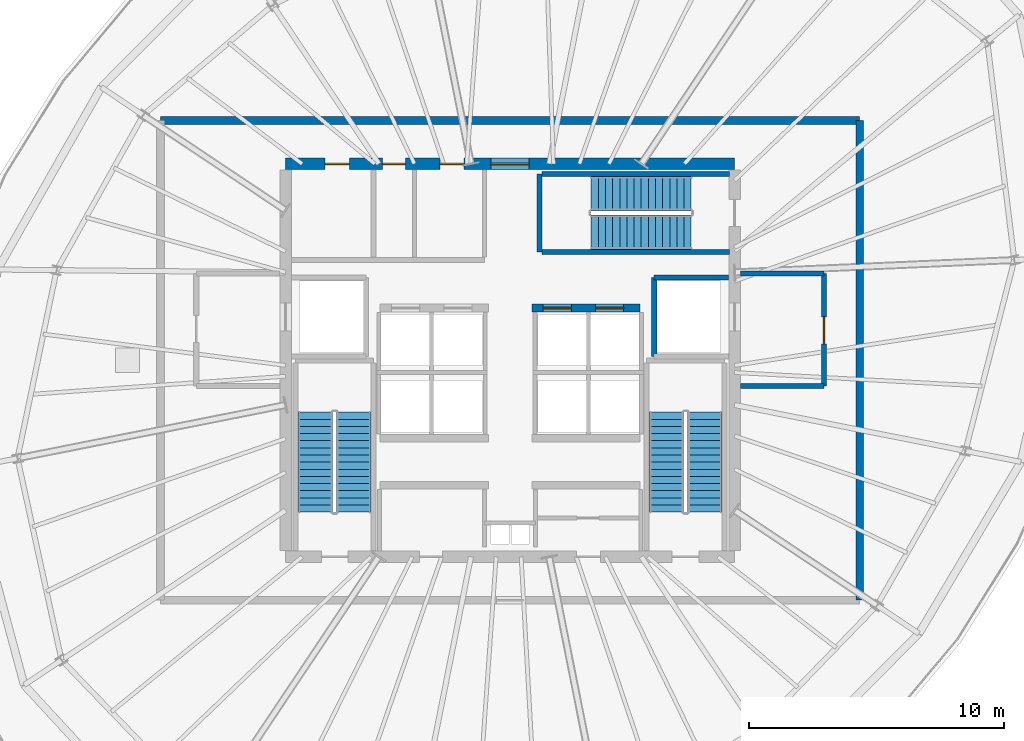
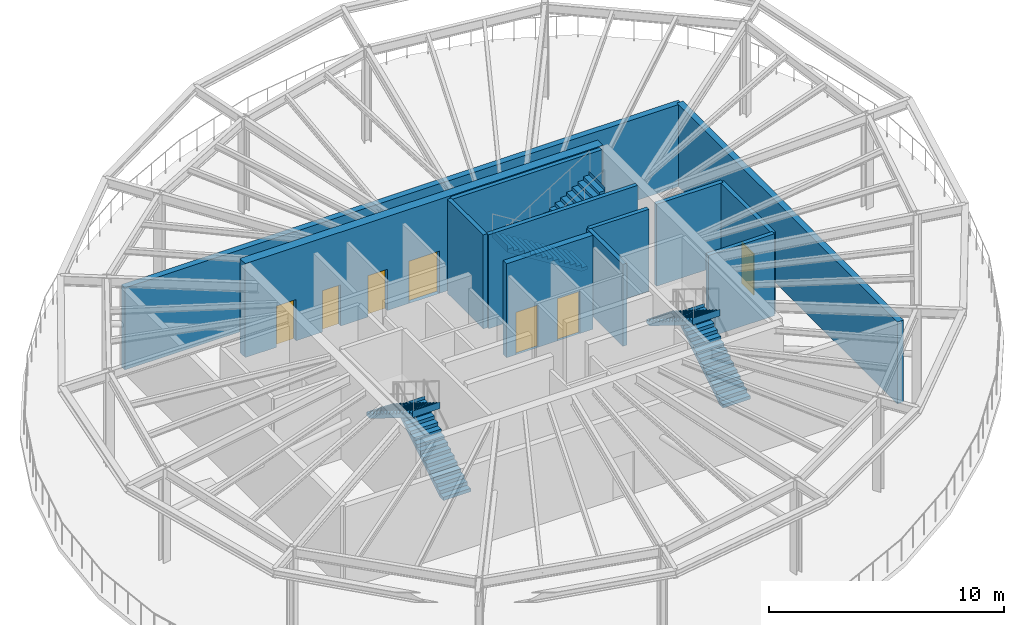
# One storey, part 5 of 8: 12 walls, 7 doors, 6 stair flights, 7 openings, 3 elements without a shape of their own.
"""IFC4 building model written with IfcOpenShell, lengths in metres."""

from ifc_helpers import new_model, si_unit, direction, frame, frame_2d, origin, place, context, subcontext, project, spatial, polyline, rectangle, outline, extrude, source, transform, mapped, material, layer, layer_set, type_object, element, fill, aggregate, save


model = new_model("IFC4")

# Units and contexts
model_context = context("Model", 3, precision=1e-05, world=origin(), true_north=direction((0.0, 1.0)))
body_context = subcontext(model_context, "Body", "Model", "MODEL_VIEW")
ifc_project = project(units=[si_unit("LENGTHUNIT", "METRE"), si_unit("AREAUNIT", "SQUARE_METRE"), si_unit("VOLUMEUNIT", "CUBIC_METRE"), si_unit("PLANEANGLEUNIT", "RADIAN"), si_unit("MASSUNIT", "GRAM", prefix="KILO"), si_unit("THERMODYNAMICTEMPERATUREUNIT", "KELVIN")], contexts=[model_context])

# Site, building, storey
site_placement = place(None, origin())
site = spatial("IfcSite", under=ifc_project, at=site_placement, CompositionType="ELEMENT")
building_placement = place(site_placement, origin())
building = spatial("IfcBuilding", under=site, at=building_placement, Name="Kethvar Cultural Tower", CompositionType="ELEMENT")
storey_placement = place(building_placement, frame((0.0, 0.0, 218.39990234375)))
storey = spatial("IfcBuildingStorey", under=building, at=storey_placement, Name="L57", CompositionType="ELEMENT", Elevation=218.39990234375)

# Wall, openings, doors
ifc_material_1 = material(Name="Concrete C50/60", Category="concrete")
ifc_layer_1 = layer(ifc_material_1, 0.449951171875, Name="Concrete C50/60", Category="concrete")
ifc_layer_set_1 = layer_set([ifc_layer_1], Name="Concrete C50/60 (450 mm)")
wall_type_1 = type_object("IfcWallType", Name="WL-CORE-450", PredefinedType="SHEAR", material=ifc_layer_set_1)
wall_1_placement = place(storey_placement, frame((55.60009765625, 35.5, 0.0), z_axis=(0.0, 0.0, 1.0), x_axis=(-1.0, 0.0, 0.0)))
wall_1 = element("IfcWall", 1, at=wall_1_placement, inside=storey, type_object=wall_type_1, Name="L57 Core Shear Wall N", PredefinedType="SHEAR", context=body_context, shape_type="SweptSolid", body=[
    extrude(rectangle(XDim=17.60009765625, YDim=0.449951171875, at=frame_2d((8.800048828125, 0.0))), origin(), (0.0, 0.0, 1.0), 4.89013671875),
])
opening_1_placement = place(wall_1_placement, frame((8.050048828125, 0.0, 0.0)))
opening_1 = element("IfcOpeningElement", 2, at=opening_1_placement, cuts=wall_1, Name="Opening D-L57-LN", PredefinedType="OPENING", context=body_context, shape_type="SweptSolid", body=[
    extrude(rectangle(XDim=1.5, YDim=2.199951171875, at=frame_2d((0.75, 1.10009765625))), frame((0.0, 0.23486328125, 0.0), z_axis=(0.0, -1.0, 0.0), x_axis=(1.0, 0.0, 0.0)), (0.0, 0.0, 1.0), 0.469970703125),
])
opening_2_placement = place(wall_1_placement, frame((15.10009765625, 0.0, 0.0)))
opening_2 = element("IfcOpeningElement", 3, at=opening_2_placement, cuts=wall_1, Name="Opening D-L57-E1", PredefinedType="OPENING", context=body_context, shape_type="SweptSolid", body=[
    extrude(rectangle(XDim=0.949951171875, YDim=2.14990234375, at=frame_2d((0.47509765625, 1.074951171875))), frame((0.0, 0.23486328125, 0.0), z_axis=(0.0, -1.0, 0.0), x_axis=(1.0, 0.0, 0.0)), (0.0, 0.0, 1.0), 0.469970703125),
])
opening_3_placement = place(wall_1_placement, frame((12.89990234375, 0.0, 0.0)))
opening_3 = element("IfcOpeningElement", 4, at=opening_3_placement, cuts=wall_1, Name="Opening D-L57-W1", PredefinedType="OPENING", context=body_context, shape_type="SweptSolid", body=[
    extrude(rectangle(XDim=0.89990234375, YDim=2.14990234375, at=frame_2d((0.449951171875, 1.074951171875))), frame((0.0, 0.23486328125, 0.0), z_axis=(0.0, -1.0, 0.0), x_axis=(1.0, 0.0, 0.0)), (0.0, 0.0, 1.0), 0.469970703125),
])
opening_4_placement = place(wall_1_placement, frame((10.60009765625, 0.0, 0.0)))
opening_4 = element("IfcOpeningElement", 5, at=opening_4_placement, cuts=wall_1, Name="Opening D-L57-W2", PredefinedType="OPENING", context=body_context, shape_type="SweptSolid", body=[
    extrude(rectangle(XDim=0.949951171875, YDim=2.14990234375, at=frame_2d((0.47509765625, 1.074951171875))), frame((0.0, 0.23486328125, 0.0), z_axis=(0.0, -1.0, 0.0), x_axis=(1.0, 0.0, 0.0)), (0.0, 0.0, 1.0), 0.469970703125),
])
ifc_material_2 = material(Name="Architectural Oak Timber", Category="wood")
door_type_1 = type_object("IfcDoorType", Name="DR-DBL-FD60-1500", OperationType="DOUBLE_DOOR_SINGLE_SWING", PredefinedType="DOOR", material=ifc_material_2)
shared_shape_1 = source(origin(), body_context, "Body", "SweptSolid", [
    extrude(rectangle(XDim=1.5, YDim=2.199951171875, at=frame_2d((0.75, 1.10009765625))), frame((0.0, 0.02490234375, 0.0), z_axis=(0.0, -1.0, 0.0), x_axis=(1.0, 0.0, 0.0)), (0.0, 0.0, 1.0), 0.050048828125),
])
door_1_placement = place(opening_1_placement, origin())
door_1 = element("IfcDoor", 6, at=door_1_placement, inside=storey, type_object=door_type_1, Name="L57 Lift Lobby Concourse Door", OperationType="DOUBLE_DOOR_SINGLE_SWING", OverallHeight=2.199951171875, OverallWidth=1.5, PredefinedType="DOOR", context=body_context, shape_type="MappedRepresentation", body=[
    mapped(shared_shape_1, transform((0.0, 0.0, 0.0), scale=1.0)),
])
fill(opening_1, door_1)
door_type_2 = type_object("IfcDoorType", Name="DR-FD30-950", OperationType="NOTDEFINED", PredefinedType="DOOR", material=ifc_material_2)
shared_shape_2 = source(origin(), body_context, "Body", "SweptSolid", [
    extrude(rectangle(XDim=0.949951171875, YDim=2.14990234375, at=frame_2d((0.47509765625, 1.074951171875))), frame((0.0, 0.02490234375, 0.0), z_axis=(0.0, -1.0, 0.0), x_axis=(1.0, 0.0, 0.0)), (0.0, 0.0, 1.0), 0.050048828125),
])
door_2_placement = place(opening_2_placement, origin())
door_2 = element("IfcDoor", 7, at=door_2_placement, inside=storey, type_object=door_type_2, Name="L57 Electrical Switchgear Door", OperationType="SINGLE_SWING_RIGHT", OverallHeight=2.14990234375, OverallWidth=0.949951171875, PredefinedType="DOOR", context=body_context, shape_type="MappedRepresentation", body=[
    mapped(shared_shape_2, transform((0.0, 0.0, 0.0), scale=1.0)),
])
fill(opening_2, door_2)
door_3_placement = place(opening_4_placement, origin())
door_3 = element("IfcDoor", 8, at=door_3_placement, inside=storey, type_object=door_type_2, Name="L57 Public Washroom Door", OperationType="SINGLE_SWING_RIGHT", OverallHeight=2.14990234375, OverallWidth=0.949951171875, PredefinedType="DOOR", context=body_context, shape_type="MappedRepresentation", body=[
    mapped(shared_shape_2, transform((0.0, 0.0, 0.0), scale=1.0)),
])
fill(opening_4, door_3)
door_type_3 = type_object("IfcDoorType", Name="DR-FD30-900", OperationType="NOTDEFINED", PredefinedType="DOOR", material=ifc_material_2)
shared_shape_3 = source(origin(), body_context, "Body", "SweptSolid", [
    extrude(rectangle(XDim=0.89990234375, YDim=2.14990234375, at=frame_2d((0.449951171875, 1.074951171875))), frame((0.0, 0.02490234375, 0.0), z_axis=(0.0, -1.0, 0.0), x_axis=(1.0, 0.0, 0.0)), (0.0, 0.0, 1.0), 0.050048828125),
])
door_4_placement = place(opening_3_placement, origin())
door_4 = element("IfcDoor", 9, at=door_4_placement, inside=storey, type_object=door_type_3, Name="L57 Accessible Washroom Door", OperationType="SINGLE_SWING_LEFT", OverallHeight=2.14990234375, OverallWidth=0.89990234375, PredefinedType="DOOR", context=body_context, shape_type="MappedRepresentation", body=[
    mapped(shared_shape_3, transform((0.0, 0.0, 0.0), scale=1.0)),
])
fill(opening_3, door_4)

# Walls
ifc_material_3 = material(Name="Concrete C40/50", Category="concrete")
ifc_layer_2 = layer(ifc_material_3, 0.300048828125, Name="Concrete C40/50", Category="concrete")
ifc_layer_set_2 = layer_set([ifc_layer_2], Name="Concrete C40/50 (300 mm)")
wall_type_2 = type_object("IfcWallType", Name="WL-EXT-TER-300", PredefinedType="SOLIDWALL", material=ifc_layer_set_2)
wall_2_placement = place(storey_placement, frame((60.5, 18.39990234375, 0.0), z_axis=(0.0, 0.0, 1.0), x_axis=(0.0, 1.0, 0.0)))
element("IfcWall", 10, at=wall_2_placement, inside=storey, type_object=wall_type_2, Name="L57 Wind-Floor Weather Enclosure Wall E", PredefinedType="SOLIDWALL", context=body_context, shape_type="SweptSolid", body=[
    extrude(rectangle(XDim=18.800048828125, YDim=0.300048828125, at=frame_2d((9.39990234375, 0.0))), origin(), (0.0, 0.0, 1.0), 4.26513671875),
])
wall_3_placement = place(storey_placement, frame((60.5, 37.199951171875, 0.0), z_axis=(0.0, 0.0, 1.0), x_axis=(-1.0, 0.0, 0.0)))
element("IfcWall", 11, at=wall_3_placement, inside=storey, type_object=wall_type_2, Name="L57 Wind-Floor Weather Enclosure Wall N", PredefinedType="SOLIDWALL", context=body_context, shape_type="SweptSolid", body=[
    extrude(rectangle(XDim=27.39990234375, YDim=0.300048828125, at=frame_2d((13.699951171875, 0.0))), origin(), (0.0, 0.0, 1.0), 4.26513671875),
])
ifc_layer_3 = layer(ifc_material_3, 0.199951171875, Name="Concrete C40/50", Category="concrete")
ifc_layer_set_3 = layer_set([ifc_layer_3], Name="Concrete C40/50 (200 mm)")
wall_type_3 = type_object("IfcWallType", Name="WL-FIRE-200", PredefinedType="PARTITIONING", material=ifc_layer_set_3)
wall_4_placement = place(storey_placement, frame((52.449951171875, 27.949951171875, 0.0), z_axis=(0.0, 0.0, 1.0), x_axis=(0.0, 1.0, 0.0)))
element("IfcWall", 12, at=wall_4_placement, inside=storey, type_object=wall_type_3, Name="L57 FFL-02 Shaft Inner Wall", PredefinedType="PARTITIONING", context=body_context, shape_type="SweptSolid", body=[
    extrude(rectangle(XDim=3.10009765625, YDim=0.199951171875, at=frame_2d((1.550048828125, 0.0))), origin(), (0.0, 0.0, 1.0), 4.26513671875),
])
wall_5_placement = place(storey_placement, frame((52.449951171875, 31.050048828125, 0.0), z_axis=(0.0, 0.0, 1.0), x_axis=(1.0, 0.0, 0.0)))
element("IfcWall", 13, at=wall_5_placement, inside=storey, type_object=wall_type_3, Name="L57 FFL-02 Shaft North Wall", PredefinedType="PARTITIONING", context=body_context, shape_type="SweptSolid", body=[
    extrude(rectangle(XDim=2.9150390625, YDim=0.199951171875, at=frame_2d((1.45751953125, 0.0))), origin(), (0.0, 0.0, 1.0), 4.26513671875),
])

# Wall, opening, door
wall_6_placement = place(storey_placement, frame((59.10009765625, 26.800048828125, 0.0), z_axis=(0.0, 0.0, 1.0), x_axis=(0.0, 1.0, 0.0)))
wall_6 = element("IfcWall", 14, at=wall_6_placement, inside=storey, type_object=wall_type_3, Name="L57 Firefighting Lobby 2 Wall", PredefinedType="PARTITIONING", context=body_context, shape_type="SweptSolid", body=[
    extrude(rectangle(XDim=4.39990234375, YDim=0.199951171875, at=frame_2d((2.199951171875, 0.0))), origin(), (0.0, 0.0, 1.0), 4.26513671875),
])
opening_5_placement = place(wall_6_placement, frame((1.64990234375, 0.0, 0.0)))
opening_5 = element("IfcOpeningElement", 15, at=opening_5_placement, cuts=wall_6, Name="Opening D-L57-F2", PredefinedType="OPENING", context=body_context, shape_type="SweptSolid", body=[
    extrude(rectangle(XDim=1.050048828125, YDim=2.14990234375, at=frame_2d((0.52490234375, 1.074951171875))), frame((0.0, 0.10986328125, 0.0), z_axis=(0.0, -1.0, 0.0), x_axis=(1.0, 0.0, 0.0)), (0.0, 0.0, 1.0), 0.219970703125),
])
ifc_material_4 = material(Name="Steel S355J2", Category="steel")
door_type_4 = type_object("IfcDoorType", Name="DR-FD60-1050", OperationType="NOTDEFINED", PredefinedType="DOOR", material=ifc_material_4)
shared_shape_4 = source(origin(), body_context, "Body", "SweptSolid", [
    extrude(rectangle(XDim=1.050048828125, YDim=2.14990234375, at=frame_2d((0.52490234375, 1.074951171875))), frame((0.0, 0.02490234375, 0.0), z_axis=(0.0, -1.0, 0.0), x_axis=(1.0, 0.0, 0.0)), (0.0, 0.0, 1.0), 0.050048828125),
])
door_5_placement = place(opening_5_placement, origin())
door_5 = element("IfcDoor", 16, at=door_5_placement, inside=storey, type_object=door_type_4, Name="L57 Firefighting Lobby 2 Fire Door", OperationType="SINGLE_SWING_LEFT", OverallHeight=2.14990234375, OverallWidth=1.050048828125, PredefinedType="DOOR", context=body_context, shape_type="MappedRepresentation", body=[
    mapped(shared_shape_4, transform((0.0, 0.0, 0.0), scale=1.0)),
])
fill(opening_5, door_5)

# Walls
for number, where, z_axis, x_axis, name in (
    (17, (55.8349609375, 26.800048828125, 0.0), (0.0, 0.0, 1.0), (1.0, 0.0, 0.0), "L57 FF Lobby 2 South Wall"),
    (18, (55.8349609375, 31.199951171875, 0.0), (0.0, 0.0, 1.0), (1.0, 0.0, 0.0), "L57 FF Lobby 2 North Wall"),
):
    element("IfcWall", number, at=place(storey_placement, frame(where, z_axis=z_axis, x_axis=x_axis)), inside=storey, type_object=wall_type_3, Name=name, PredefinedType="PARTITIONING", context=body_context, shape_type="SweptSolid", body=[
        extrude(rectangle(XDim=3.26513671875, YDim=0.199951171875, at=frame_2d((1.632568359375, 0.0))), origin(), (0.0, 0.0, 1.0), 4.26513671875),
    ])

# Wall, openings, doors
ifc_layer_4 = layer(ifc_material_1, 0.300048828125, Name="Concrete C50/60", Category="concrete")
ifc_layer_set_4 = layer_set([ifc_layer_4], Name="Concrete C50/60 (300 mm)")
wall_type_4 = type_object("IfcWallType", Name="WL-SHAFT-300", PredefinedType="SHEAR", material=ifc_layer_set_4)
wall_7_placement = place(storey_placement, frame((47.64990234375, 29.85009765625, 0.0), z_axis=(0.0, 0.0, 1.0), x_axis=(1.0, 0.0, 0.0)))
wall_7 = element("IfcWall", 19, at=wall_7_placement, inside=storey, type_object=wall_type_4, Name="L57 Core Lift Spine Wall MID3E", PredefinedType="SHEAR", context=body_context, shape_type="SweptSolid", body=[
    extrude(rectangle(XDim=4.25, YDim=0.300048828125, at=frame_2d((2.125, 0.0))), origin(), (0.0, 0.0, 1.0), 4.89013671875),
])
opening_6_placement = place(wall_7_placement, frame((0.449951171875, 0.0, 0.0)))
opening_6 = element("IfcOpeningElement", 20, at=opening_6_placement, cuts=wall_7, Name="Opening LD-H3", PredefinedType="OPENING", context=body_context, shape_type="SweptSolid", body=[
    extrude(rectangle(XDim=1.10009765625, YDim=2.199951171875, at=frame_2d((0.550048828125, 1.10009765625))), frame((0.0, 0.159912109375, 0.0), z_axis=(0.0, -1.0, 0.0), x_axis=(1.0, 0.0, 0.0)), (0.0, 0.0, 1.0), 0.320068359375),
])
opening_7_placement = place(wall_7_placement, frame((2.5, 0.0, 0.0)))
opening_7 = element("IfcOpeningElement", 21, at=opening_7_placement, cuts=wall_7, Name="Opening LD-H4", PredefinedType="OPENING", context=body_context, shape_type="SweptSolid", body=[
    extrude(rectangle(XDim=1.10009765625, YDim=2.199951171875, at=frame_2d((0.550048828125, 1.10009765625))), frame((0.0, 0.159912109375, 0.0), z_axis=(0.0, -1.0, 0.0), x_axis=(1.0, 0.0, 0.0)), (0.0, 0.0, 1.0), 0.320068359375),
])
door_type_5 = type_object("IfcDoorType", Name="DR-LIFT-SLIDE-1100", OperationType="NOTDEFINED", PredefinedType="DOOR", material=ifc_material_4)
shared_shape_5 = source(origin(), body_context, "Body", "SweptSolid", [
    extrude(rectangle(XDim=1.10009765625, YDim=2.199951171875, at=frame_2d((0.550048828125, 1.10009765625))), frame((0.0, 0.02490234375, 0.0), z_axis=(0.0, -1.0, 0.0), x_axis=(1.0, 0.0, 0.0)), (0.0, 0.0, 1.0), 0.050048828125),
])
door_6_placement = place(opening_6_placement, origin())
door_6 = element("IfcDoor", 22, at=door_6_placement, inside=storey, type_object=door_type_5, Name="L57 High-Rise Lift Landing Door H3", OperationType="SLIDING_TO_LEFT", OverallHeight=2.199951171875, OverallWidth=1.10009765625, PredefinedType="DOOR", context=body_context, shape_type="MappedRepresentation", body=[
    mapped(shared_shape_5, transform((0.0, 0.0, 0.0), scale=1.0)),
])
fill(opening_6, door_6)
door_7_placement = place(opening_7_placement, origin())
door_7 = element("IfcDoor", 23, at=door_7_placement, inside=storey, type_object=door_type_5, Name="L57 High-Rise Lift Landing Door H4", OperationType="SLIDING_TO_LEFT", OverallHeight=2.199951171875, OverallWidth=1.10009765625, PredefinedType="DOOR", context=body_context, shape_type="MappedRepresentation", body=[
    mapped(shared_shape_5, transform((0.0, 0.0, 0.0), scale=1.0)),
])
fill(opening_7, door_7)

# Walls
ifc_layer_5 = layer(ifc_material_1, 0.199951171875, Name="Concrete C50/60", Category="concrete")
ifc_layer_set_5 = layer_set([ifc_layer_5], Name="Concrete C50/60 (200 mm)")
wall_type_5 = type_object("IfcWallType", Name="WL-STSHAFT-200", PredefinedType="SHEAR", material=ifc_layer_set_5)
wall_8_placement = place(storey_placement, frame((47.949951171875, 32.050048828125, 0.0), z_axis=(0.0, 0.0, 1.0), x_axis=(0.0, 1.0, 0.0)))
element("IfcWall", 24, at=wall_8_placement, inside=storey, type_object=wall_type_5, Name="L57 ST-03 Stair Shaft Wall FAR", PredefinedType="SHEAR", context=body_context, shape_type="SweptSolid", body=[
    extrude(rectangle(XDim=3.06005859375, YDim=0.199951171875, at=frame_2d((1.530029296875, 0.0))), origin(), (0.0, 0.0, 1.0), 4.89013671875),
])
for number, where, z_axis, x_axis, name in (
    (25, (48.050048828125, 35.110107421875, 0.0), (0.0, 0.0, 1.0), (1.0, 0.0, 0.0), "L57 ST-03 Stair Shaft Wall LEFT"),
    (26, (55.39990234375, 32.050048828125, 0.0), (0.0, 0.0, 1.0), (-1.0, 0.0, 0.0), "L57 ST-03 Stair Shaft Wall RIGHT"),
):
    element("IfcWall", number, at=place(storey_placement, frame(where, z_axis=z_axis, x_axis=x_axis)), inside=storey, type_object=wall_type_5, Name=name, PredefinedType="SHEAR", context=body_context, shape_type="SweptSolid", body=[
        extrude(rectangle(XDim=7.349853515625, YDim=0.199951171875, at=frame_2d((3.6748046875, 0.0))), origin(), (0.0, 0.0, 1.0), 4.89013671875),
    ])

# Stair, stair flights
stair_type = type_object("IfcStairType", Name="ST-DOGLEG-135", PredefinedType="HALF_TURN_STAIR", material=ifc_material_3)
stair_1_placement = place(storey_placement, origin())
stair_1 = element("IfcStair", 27, at=stair_1_placement, inside=storey, type_object=stair_type, Name="L57 Core Exit Stair 1", PredefinedType="HALF_TURN_STAIR")
stair_flight_type = type_object("IfcStairFlightType", Name="FL-STRAIGHT-135", PredefinedType="STRAIGHT", material=ifc_material_3)
stair_flight_1_placement = place(storey_placement, frame((40.675048828125, 21.85009765625, 0.0), z_axis=(0.0, 0.0, 1.0), x_axis=(0.0, 1.0, 0.0)))
stair_flight_1 = element("IfcStairFlight", 28, at=stair_flight_1_placement, type_object=stair_flight_type, Name="ST-01 flight 1", NumberOfRisers=15, NumberOfTreads=14, PredefinedType="STRAIGHT", RiserHeight=0.173333333, TreadLength=0.28, context=body_context, shape_type="SweptSolid", body=[
    extrude(outline(polyline([(-0.0009765625, -0.0009765625), (-0.0009765625, 0.17333984375), (0.280029296875, 0.17333984375), (0.280029296875, 0.3466796875), (0.56005859375, 0.3466796875), (0.56005859375, 0.52001953125), (0.840087890625, 0.52001953125), (0.840087890625, 0.693359375), (1.1201171875, 0.693359375), (1.1201171875, 0.86669921875), (1.39990234375, 0.86669921875), (1.39990234375, 1.0400390625), (1.679931640625, 1.0400390625), (1.679931640625, 1.21337890625), (1.9599609375, 1.21337890625), (1.9599609375, 1.38671875), (2.239990234375, 1.38671875), (2.239990234375, 1.56005859375), (2.52001953125, 1.56005859375), (2.52001953125, 1.7333984375), (2.800048828125, 1.7333984375), (2.800048828125, 1.90673828125), (3.080078125, 1.90673828125), (3.080078125, 2.080078125), (3.360107421875, 2.080078125), (3.360107421875, 2.25341796875), (3.639892578125, 2.25341796875), (3.639892578125, 2.4267578125), (3.919921875, 2.4267578125), (3.919921875, 2.60009765625), (3.9208984375, 2.60009765625), (3.9208984375, 2.250244140625), (0.284912109375, 0.0), (0.0, -0.0009765625), (-0.0009765625, -0.0009765625)])), frame((0.0, 0.675048828125, 0.0), z_axis=(0.0, -1.0, 0.0), x_axis=(1.0, 0.0, 0.0)), (0.0, 0.0, 1.0), 1.35009765625),
])
stair_flight_2_placement = place(storey_placement, frame((39.1650390625, 25.77001953125, 2.60009765625), z_axis=(0.0, 0.0, 1.0), x_axis=(0.0, -1.0, 0.0)))
stair_flight_2 = element("IfcStairFlight", 29, at=stair_flight_2_placement, type_object=stair_flight_type, Name="ST-01 flight 2", NumberOfRisers=15, NumberOfTreads=14, PredefinedType="STRAIGHT", RiserHeight=0.173333333, TreadLength=0.28, context=body_context, shape_type="SweptSolid", body=[
    extrude(outline(polyline([(-0.0009765625, -0.0009765625), (-0.0009765625, 0.17333984375), (0.280029296875, 0.17333984375), (0.280029296875, 0.3466796875), (0.56005859375, 0.3466796875), (0.56005859375, 0.52001953125), (0.840087890625, 0.52001953125), (0.840087890625, 0.693359375), (1.1201171875, 0.693359375), (1.1201171875, 0.86669921875), (1.39990234375, 0.86669921875), (1.39990234375, 1.0400390625), (1.679931640625, 1.0400390625), (1.679931640625, 1.21337890625), (1.9599609375, 1.21337890625), (1.9599609375, 1.38671875), (2.239990234375, 1.38671875), (2.239990234375, 1.56005859375), (2.52001953125, 1.56005859375), (2.52001953125, 1.7333984375), (2.800048828125, 1.7333984375), (2.800048828125, 1.90673828125), (3.080078125, 1.90673828125), (3.080078125, 2.080078125), (3.360107421875, 2.080078125), (3.360107421875, 2.25341796875), (3.639892578125, 2.25341796875), (3.639892578125, 2.4267578125), (3.919921875, 2.4267578125), (3.919921875, 2.60009765625), (3.9208984375, 2.60009765625), (3.9208984375, 2.250244140625), (0.284912109375, 0.0), (0.0, -0.0009765625), (-0.0009765625, -0.0009765625)])), frame((0.0, 0.675048828125, 0.0), z_axis=(0.0, -1.0, 0.0), x_axis=(1.0, 0.0, 0.0)), (0.0, 0.0, 1.0), 1.35009765625),
])
aggregate(stair_1, [stair_flight_1, stair_flight_2])

stair_2_placement = place(storey_placement, origin())
stair_2 = element("IfcStair", 30, at=stair_2_placement, inside=storey, type_object=stair_type, Name="L57 Core Exit Stair 2", PredefinedType="HALF_TURN_STAIR")
stair_flight_3_placement = place(storey_placement, frame((54.43505859375, 21.85009765625, 0.0), z_axis=(0.0, 0.0, 1.0), x_axis=(0.0, 1.0, 0.0)))
stair_flight_3 = element("IfcStairFlight", 31, at=stair_flight_3_placement, type_object=stair_flight_type, Name="ST-02 flight 1", NumberOfRisers=15, NumberOfTreads=14, PredefinedType="STRAIGHT", RiserHeight=0.173333333, TreadLength=0.28, context=body_context, shape_type="SweptSolid", body=[
    extrude(outline(polyline([(-0.0009765625, -0.0009765625), (-0.0009765625, 0.17333984375), (0.280029296875, 0.17333984375), (0.280029296875, 0.3466796875), (0.56005859375, 0.3466796875), (0.56005859375, 0.52001953125), (0.840087890625, 0.52001953125), (0.840087890625, 0.693359375), (1.1201171875, 0.693359375), (1.1201171875, 0.86669921875), (1.39990234375, 0.86669921875), (1.39990234375, 1.0400390625), (1.679931640625, 1.0400390625), (1.679931640625, 1.21337890625), (1.9599609375, 1.21337890625), (1.9599609375, 1.38671875), (2.239990234375, 1.38671875), (2.239990234375, 1.56005859375), (2.52001953125, 1.56005859375), (2.52001953125, 1.7333984375), (2.800048828125, 1.7333984375), (2.800048828125, 1.90673828125), (3.080078125, 1.90673828125), (3.080078125, 2.080078125), (3.360107421875, 2.080078125), (3.360107421875, 2.25341796875), (3.639892578125, 2.25341796875), (3.639892578125, 2.4267578125), (3.919921875, 2.4267578125), (3.919921875, 2.60009765625), (3.9208984375, 2.60009765625), (3.9208984375, 2.250244140625), (0.284912109375, 0.0), (0.0, -0.0009765625), (-0.0009765625, -0.0009765625)])), frame((0.0, 0.675048828125, 0.0), z_axis=(0.0, -1.0, 0.0), x_axis=(1.0, 0.0, 0.0)), (0.0, 0.0, 1.0), 1.35009765625),
])
stair_flight_4_placement = place(storey_placement, frame((52.925048828125, 25.77001953125, 2.60009765625), z_axis=(0.0, 0.0, 1.0), x_axis=(0.0, -1.0, 0.0)))
stair_flight_4 = element("IfcStairFlight", 32, at=stair_flight_4_placement, type_object=stair_flight_type, Name="ST-02 flight 2", NumberOfRisers=15, NumberOfTreads=14, PredefinedType="STRAIGHT", RiserHeight=0.173333333, TreadLength=0.28, context=body_context, shape_type="SweptSolid", body=[
    extrude(outline(polyline([(-0.0009765625, -0.0009765625), (-0.0009765625, 0.17333984375), (0.280029296875, 0.17333984375), (0.280029296875, 0.3466796875), (0.56005859375, 0.3466796875), (0.56005859375, 0.52001953125), (0.840087890625, 0.52001953125), (0.840087890625, 0.693359375), (1.1201171875, 0.693359375), (1.1201171875, 0.86669921875), (1.39990234375, 0.86669921875), (1.39990234375, 1.0400390625), (1.679931640625, 1.0400390625), (1.679931640625, 1.21337890625), (1.9599609375, 1.21337890625), (1.9599609375, 1.38671875), (2.239990234375, 1.38671875), (2.239990234375, 1.56005859375), (2.52001953125, 1.56005859375), (2.52001953125, 1.7333984375), (2.800048828125, 1.7333984375), (2.800048828125, 1.90673828125), (3.080078125, 1.90673828125), (3.080078125, 2.080078125), (3.360107421875, 2.080078125), (3.360107421875, 2.25341796875), (3.639892578125, 2.25341796875), (3.639892578125, 2.4267578125), (3.919921875, 2.4267578125), (3.919921875, 2.60009765625), (3.9208984375, 2.60009765625), (3.9208984375, 2.250244140625), (0.284912109375, 0.0), (0.0, -0.0009765625), (-0.0009765625, -0.0009765625)])), frame((0.0, 0.675048828125, 0.0), z_axis=(0.0, -1.0, 0.0), x_axis=(1.0, 0.0, 0.0)), (0.0, 0.0, 1.0), 1.35009765625),
])
aggregate(stair_2, [stair_flight_3, stair_flight_4])

stair_3_placement = place(storey_placement, origin())
stair_3 = element("IfcStair", 33, at=stair_3_placement, inside=storey, type_object=stair_type, Name="L57 Core Exit Stair 3", PredefinedType="HALF_TURN_STAIR")
stair_flight_5_placement = place(storey_placement, frame((53.89990234375, 34.3349609375, 0.0), z_axis=(0.0, 0.0, 1.0), x_axis=(-1.0, 0.0, 0.0)))
stair_flight_5 = element("IfcStairFlight", 34, at=stair_flight_5_placement, type_object=stair_flight_type, Name="ST-03 flight 1", NumberOfRisers=15, NumberOfTreads=14, PredefinedType="STRAIGHT", RiserHeight=0.173333333, TreadLength=0.28, context=body_context, shape_type="SweptSolid", body=[
    extrude(outline(polyline([(-0.0009765625, -0.0009765625), (-0.0009765625, 0.17333984375), (0.280029296875, 0.17333984375), (0.280029296875, 0.3466796875), (0.56005859375, 0.3466796875), (0.56005859375, 0.52001953125), (0.840087890625, 0.52001953125), (0.840087890625, 0.693359375), (1.1201171875, 0.693359375), (1.1201171875, 0.86669921875), (1.39990234375, 0.86669921875), (1.39990234375, 1.0400390625), (1.679931640625, 1.0400390625), (1.679931640625, 1.21337890625), (1.9599609375, 1.21337890625), (1.9599609375, 1.38671875), (2.239990234375, 1.38671875), (2.239990234375, 1.56005859375), (2.52001953125, 1.56005859375), (2.52001953125, 1.7333984375), (2.800048828125, 1.7333984375), (2.800048828125, 1.90673828125), (3.080078125, 1.90673828125), (3.080078125, 2.080078125), (3.360107421875, 2.080078125), (3.360107421875, 2.25341796875), (3.639892578125, 2.25341796875), (3.639892578125, 2.4267578125), (3.919921875, 2.4267578125), (3.919921875, 2.60009765625), (3.9208984375, 2.60009765625), (3.9208984375, 2.250244140625), (0.284912109375, 0.0), (0.0, -0.0009765625), (-0.0009765625, -0.0009765625)])), frame((0.0, 0.675048828125, 0.0), z_axis=(0.0, -1.0, 0.0), x_axis=(1.0, 0.0, 0.0)), (0.0, 0.0, 1.0), 1.35009765625),
])
stair_flight_6_placement = place(storey_placement, frame((49.97998046875, 32.824951171875, 2.60009765625), z_axis=(0.0, 0.0, 1.0), x_axis=(1.0, 0.0, 0.0)))
stair_flight_6 = element("IfcStairFlight", 35, at=stair_flight_6_placement, type_object=stair_flight_type, Name="ST-03 flight 2", NumberOfRisers=15, NumberOfTreads=14, PredefinedType="STRAIGHT", RiserHeight=0.173333333, TreadLength=0.28, context=body_context, shape_type="SweptSolid", body=[
    extrude(outline(polyline([(-0.0009765625, -0.0009765625), (-0.0009765625, 0.17333984375), (0.280029296875, 0.17333984375), (0.280029296875, 0.3466796875), (0.56005859375, 0.3466796875), (0.56005859375, 0.52001953125), (0.840087890625, 0.52001953125), (0.840087890625, 0.693359375), (1.1201171875, 0.693359375), (1.1201171875, 0.86669921875), (1.39990234375, 0.86669921875), (1.39990234375, 1.0400390625), (1.679931640625, 1.0400390625), (1.679931640625, 1.21337890625), (1.9599609375, 1.21337890625), (1.9599609375, 1.38671875), (2.239990234375, 1.38671875), (2.239990234375, 1.56005859375), (2.52001953125, 1.56005859375), (2.52001953125, 1.7333984375), (2.800048828125, 1.7333984375), (2.800048828125, 1.90673828125), (3.080078125, 1.90673828125), (3.080078125, 2.080078125), (3.360107421875, 2.080078125), (3.360107421875, 2.25341796875), (3.639892578125, 2.25341796875), (3.639892578125, 2.4267578125), (3.919921875, 2.4267578125), (3.919921875, 2.60009765625), (3.9208984375, 2.60009765625), (3.9208984375, 2.250244140625), (0.284912109375, 0.0), (0.0, -0.0009765625), (-0.0009765625, -0.0009765625)])), frame((0.0, 0.675048828125, 0.0), z_axis=(0.0, -1.0, 0.0), x_axis=(1.0, 0.0, 0.0)), (0.0, 0.0, 1.0), 1.35009765625),
])
aggregate(stair_3, [stair_flight_5, stair_flight_6])

save(model, "model.ifc")
